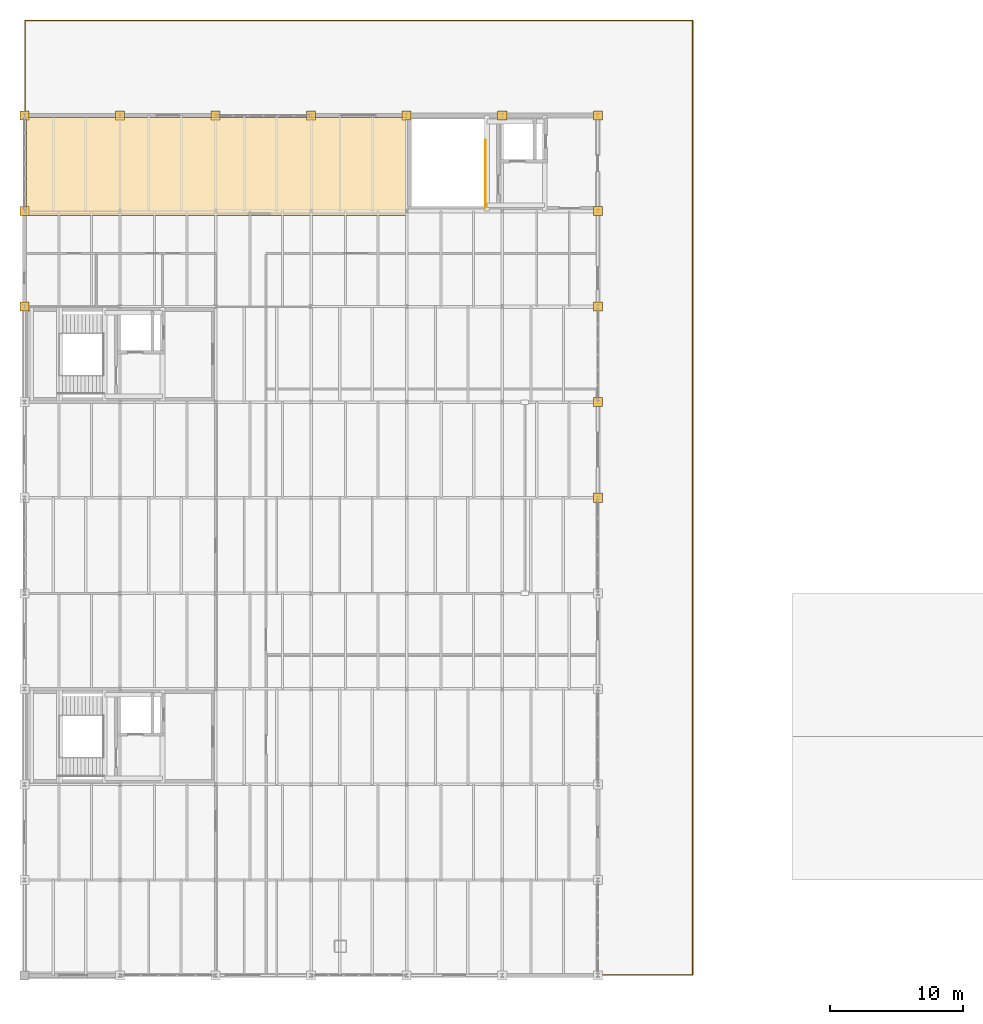
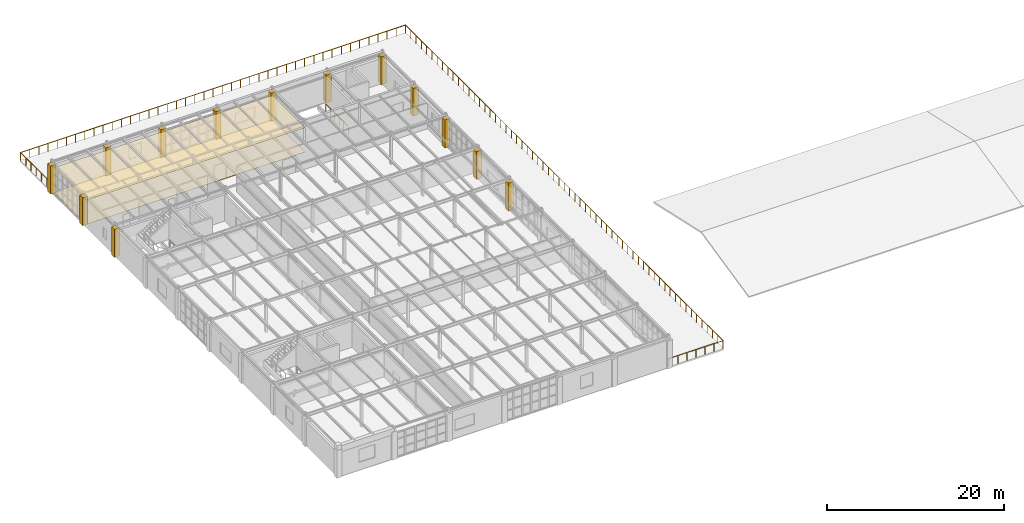
# One storey, part 36 of 36: 15 coverings, 2 railings.
"""IFC4 building model written with IfcOpenShell, lengths in metres."""

from ifc_helpers import new_model, si_unit, direction, frame, origin, origin_2d, place, context, subcontext, project, spatial, polyline, circle, outline, extrude, material, layer, layer_set, type_object, element, save


model = new_model("IFC4")

# Units and contexts
model_context = context("Model", 3, precision=1e-05, world=origin(), true_north=direction((0.0, 1.0)))
body_context = subcontext(model_context, "Body", "Model", "MODEL_VIEW")
ifc_project = project(units=[si_unit("LENGTHUNIT", "METRE"), si_unit("AREAUNIT", "SQUARE_METRE"), si_unit("VOLUMEUNIT", "CUBIC_METRE"), si_unit("PLANEANGLEUNIT", "RADIAN"), si_unit("MASSUNIT", "GRAM", prefix="KILO")], contexts=[model_context])

# Site, building, storey
site_placement = place(None, origin())
site = spatial("IfcSite", under=ifc_project, at=site_placement, CompositionType="ELEMENT")
building_placement = place(site_placement, origin())
building = spatial("IfcBuilding", under=site, at=building_placement, Name="Kemerveld Promenade Tramway Depot", CompositionType="ELEMENT")
storey_placement = place(building_placement, frame((0.0, 0.0, 14.39990234375)))
storey = spatial("IfcBuildingStorey", under=building, at=storey_placement, Name="L03", CompositionType="ELEMENT", Elevation=14.39990234375)

# Coverings
ifc_material_1 = material(Name="Perforated mineral-fibre acoustic ceiling")
ifc_layer_1 = layer(ifc_material_1, 0.02490234375)
ifc_layer_set_1 = layer_set([ifc_layer_1], Name="COV-CEIL-AC")
covering_type_1 = type_object("IfcCoveringType", Name="COV-CEIL-AC", PredefinedType="CEILING", material=ifc_layer_set_1)
covering_1_placement = place(storey_placement, frame((0.0, 0.0, 3.35498046875)))
element("IfcCovering", 1, at=covering_1_placement, inside=storey, type_object=covering_type_1, Name="CEIL-RM-L03-V5-BRK", PredefinedType="CEILING", context=body_context, shape_type="SweptSolid", body=[
    extrude(outline(polyline([(0.14990234375, 57.25), (28.75, 57.25), (28.75, 64.64990234375), (0.14990234375, 64.64990234375), (0.14990234375, 57.25)])), origin(), (0.0, 0.0, 1.0), 0.025146484375),
])
ifc_material_2 = material(Name="Dressed Harare granite ashlar cladding", Category="masonry")
ifc_layer_2 = layer(ifc_material_2, 0.050048828125)
ifc_layer_set_2 = layer_set([ifc_layer_2], Name="COV-CLAD-GRAN")
covering_type_2 = type_object("IfcCoveringType", Name="COV-CLAD-GRAN", PredefinedType="CLADDING", material=ifc_layer_set_2)
covering_2_placement = place(storey_placement, origin())
element("IfcCovering", 2, at=covering_2_placement, inside=storey, type_object=covering_type_2, Name="CLAD-PIER-L03-360", PredefinedType="CLADDING", context=body_context, shape_type="SweptSolid", body=[
    extrude(outline(polyline([(-0.340087890625, 50.06005859375), (0.340087890625, 50.06005859375), (0.340087890625, 50.739990234375), (-0.340087890625, 50.739990234375), (-0.340087890625, 50.06005859375)])), origin(), (0.0, 0.0, 1.0), 3.85009765625),
])
covering_3_placement = place(storey_placement, origin())
element("IfcCovering", 3, at=covering_3_placement, inside=storey, type_object=covering_type_2, Name="CLAD-PIER-L03-361", PredefinedType="CLADDING", context=body_context, shape_type="SweptSolid", body=[
    extrude(outline(polyline([(-0.340087890625, 57.260009765625), (0.340087890625, 57.260009765625), (0.340087890625, 57.93994140625), (-0.340087890625, 57.93994140625), (-0.340087890625, 57.260009765625)])), origin(), (0.0, 0.0, 1.0), 3.85009765625),
])
covering_4_placement = place(storey_placement, origin())
element("IfcCovering", 4, at=covering_4_placement, inside=storey, type_object=covering_type_2, Name="CLAD-PIER-L03-362", PredefinedType="CLADDING", context=body_context, shape_type="SweptSolid", body=[
    extrude(outline(polyline([(-0.340087890625, 64.4599609375), (0.340087890625, 64.4599609375), (0.340087890625, 65.139892578125), (-0.340087890625, 65.139892578125), (-0.340087890625, 64.4599609375)])), origin(), (0.0, 0.0, 1.0), 3.85009765625),
])
covering_5_placement = place(storey_placement, origin())
element("IfcCovering", 5, at=covering_5_placement, inside=storey, type_object=covering_type_2, Name="CLAD-PIER-L03-363", PredefinedType="CLADDING", context=body_context, shape_type="SweptSolid", body=[
    extrude(outline(polyline([(6.860107421875, 64.4599609375), (7.5400390625, 64.4599609375), (7.5400390625, 65.139892578125), (6.860107421875, 65.139892578125), (6.860107421875, 64.4599609375)])), origin(), (0.0, 0.0, 1.0), 3.85009765625),
])
covering_6_placement = place(storey_placement, origin())
element("IfcCovering", 6, at=covering_6_placement, inside=storey, type_object=covering_type_2, Name="CLAD-PIER-L03-364", PredefinedType="CLADDING", context=body_context, shape_type="SweptSolid", body=[
    extrude(outline(polyline([(14.06005859375, 64.4599609375), (14.739990234375, 64.4599609375), (14.739990234375, 65.139892578125), (14.06005859375, 65.139892578125), (14.06005859375, 64.4599609375)])), origin(), (0.0, 0.0, 1.0), 3.85009765625),
])
covering_7_placement = place(storey_placement, origin())
element("IfcCovering", 7, at=covering_7_placement, inside=storey, type_object=covering_type_2, Name="CLAD-PIER-L03-365", PredefinedType="CLADDING", context=body_context, shape_type="SweptSolid", body=[
    extrude(outline(polyline([(21.260009765625, 64.4599609375), (21.93994140625, 64.4599609375), (21.93994140625, 65.139892578125), (21.260009765625, 65.139892578125), (21.260009765625, 64.4599609375)])), origin(), (0.0, 0.0, 1.0), 3.85009765625),
])
covering_8_placement = place(storey_placement, origin())
element("IfcCovering", 8, at=covering_8_placement, inside=storey, type_object=covering_type_2, Name="CLAD-PIER-L03-366", PredefinedType="CLADDING", context=body_context, shape_type="SweptSolid", body=[
    extrude(outline(polyline([(28.4599609375, 64.4599609375), (29.139892578125, 64.4599609375), (29.139892578125, 65.139892578125), (28.4599609375, 65.139892578125), (28.4599609375, 64.4599609375)])), origin(), (0.0, 0.0, 1.0), 3.85009765625),
])
covering_9_placement = place(storey_placement, origin())
element("IfcCovering", 9, at=covering_9_placement, inside=storey, type_object=covering_type_2, Name="CLAD-PIER-L03-367", PredefinedType="CLADDING", context=body_context, shape_type="SweptSolid", body=[
    extrude(outline(polyline([(35.659912109375, 64.4599609375), (36.340087890625, 64.4599609375), (36.340087890625, 65.139892578125), (35.659912109375, 65.139892578125), (35.659912109375, 64.4599609375)])), origin(), (0.0, 0.0, 1.0), 3.85009765625),
])
covering_10_placement = place(storey_placement, origin())
element("IfcCovering", 10, at=covering_10_placement, inside=storey, type_object=covering_type_2, Name="CLAD-PIER-L03-368", PredefinedType="CLADDING", context=body_context, shape_type="SweptSolid", body=[
    extrude(outline(polyline([(42.860107421875, 64.4599609375), (43.5400390625, 64.4599609375), (43.5400390625, 65.139892578125), (42.860107421875, 65.139892578125), (42.860107421875, 64.4599609375)])), origin(), (0.0, 0.0, 1.0), 3.85009765625),
])
covering_11_placement = place(storey_placement, origin())
element("IfcCovering", 11, at=covering_11_placement, inside=storey, type_object=covering_type_2, Name="CLAD-PIER-L03-369", PredefinedType="CLADDING", context=body_context, shape_type="SweptSolid", body=[
    extrude(outline(polyline([(42.860107421875, 57.260009765625), (43.5400390625, 57.260009765625), (43.5400390625, 57.93994140625), (42.860107421875, 57.93994140625), (42.860107421875, 57.260009765625)])), origin(), (0.0, 0.0, 1.0), 3.85009765625),
])
covering_12_placement = place(storey_placement, origin())
element("IfcCovering", 12, at=covering_12_placement, inside=storey, type_object=covering_type_2, Name="CLAD-PIER-L03-370", PredefinedType="CLADDING", context=body_context, shape_type="SweptSolid", body=[
    extrude(outline(polyline([(42.860107421875, 50.06005859375), (43.5400390625, 50.06005859375), (43.5400390625, 50.739990234375), (42.860107421875, 50.739990234375), (42.860107421875, 50.06005859375)])), origin(), (0.0, 0.0, 1.0), 3.85009765625),
])
covering_13_placement = place(storey_placement, origin())
element("IfcCovering", 13, at=covering_13_placement, inside=storey, type_object=covering_type_2, Name="CLAD-PIER-L03-371", PredefinedType="CLADDING", context=body_context, shape_type="SweptSolid", body=[
    extrude(outline(polyline([(42.860107421875, 42.860107421875), (43.5400390625, 42.860107421875), (43.5400390625, 43.5400390625), (42.860107421875, 43.5400390625), (42.860107421875, 42.860107421875)])), origin(), (0.0, 0.0, 1.0), 3.85009765625),
])
covering_14_placement = place(storey_placement, origin())
element("IfcCovering", 14, at=covering_14_placement, inside=storey, type_object=covering_type_2, Name="CLAD-PIER-L03-372", PredefinedType="CLADDING", context=body_context, shape_type="SweptSolid", body=[
    extrude(outline(polyline([(42.860107421875, 35.659912109375), (43.5400390625, 35.659912109375), (43.5400390625, 36.340087890625), (42.860107421875, 36.340087890625), (42.860107421875, 35.659912109375)])), origin(), (0.0, 0.0, 1.0), 3.85009765625),
])
ifc_material_3 = material(Name="Honed Harare granite terrazzo flooring", Category="masonry")
ifc_layer_3 = layer(ifc_material_3, 0.02001953125)
ifc_layer_set_3 = layer_set([ifc_layer_3], Name="COV-FLR-TERR")
covering_type_3 = type_object("IfcCoveringType", Name="COV-FLR-TERR", PredefinedType="FLOORING", material=ifc_layer_set_3)
covering_15_placement = place(storey_placement, origin())
element("IfcCovering", 15, at=covering_15_placement, inside=storey, type_object=covering_type_3, Name="FLR-RM-L03-V5-BRK", PredefinedType="FLOORING", context=body_context, shape_type="SweptSolid", body=[
    extrude(outline(polyline([(0.14990234375, 57.25), (28.75, 57.25), (28.75, 64.64990234375), (0.14990234375, 64.64990234375), (0.14990234375, 57.25)])), origin(), (0.0, 0.0, 1.0), 0.02001953125),
])

# Railings
ifc_material_4 = material(Name="Bronze-finished steel and laminated safety glass", Category="steel")
railing_type_1 = type_object("IfcRailingType", Name="RL-BAL-1100", PredefinedType="BALUSTRADE", material=ifc_material_4)
railing_1_placement = place(storey_placement, frame((43.25, 0.050048828125, 0.0)))
element("IfcRailing", 16, at=railing_1_placement, inside=storey, type_object=railing_type_1, Name="RL-TER-L03-EAST", PredefinedType="BALUSTRADE", context=body_context, shape_type="SweptSolid", body=[
    extrude(circle(Radius=0.02392578125, at=origin_2d()), frame((0.0, 0.0, 1.09619140625), z_axis=(1.0, 0.0, 0.0), x_axis=(0.0, 1.0, 0.0)), (0.0, 0.0, 1.0), 7.10009765625),
    extrude(circle(Radius=0.02392578125, at=origin_2d()), frame((7.10009765625, 0.0, 1.09619140625), z_axis=(0.0, 1.0, 0.0), x_axis=(-1.0, 0.0, 0.0)), (0.0, 0.0, 1.0), 71.89990234375),
    extrude(circle(Radius=0.02392578125, at=origin_2d()), frame((7.10009765625, 71.89990234375, 1.09619140625), z_axis=(-1.0, 0.0, 0.0), x_axis=(0.0, -1.0, 0.0)), (0.0, 0.0, 1.0), 50.300048828125),
    extrude(circle(Radius=0.02392578125, at=origin_2d()), frame((-43.199951171875, 71.89990234375, 1.09619140625), z_axis=(0.0, -1.0, 0.0), x_axis=(1.0, 0.0, 0.0)), (0.0, 0.0, 1.0), 7.099853515625),
    extrude(circle(Radius=0.02099609375, at=origin_2d()), origin(), (0.0, 0.0, 1.0), 1.072021484375),
    extrude(circle(Radius=0.02099609375, at=origin_2d()), frame((1.183349609375, 0.0, 0.0)), (0.0, 0.0, 1.0), 1.072021484375),
    extrude(circle(Radius=0.02099609375, at=origin_2d()), frame((2.36669921875, 0.0, 0.0)), (0.0, 0.0, 1.0), 1.072021484375),
    extrude(circle(Radius=0.02099609375, at=origin_2d()), frame((3.550048828125, 0.0, 0.0)), (0.0, 0.0, 1.0), 1.072021484375),
    extrude(circle(Radius=0.02099609375, at=origin_2d()), frame((4.7333984375, 0.0, 0.0)), (0.0, 0.0, 1.0), 1.072021484375),
    extrude(circle(Radius=0.02099609375, at=origin_2d()), frame((5.916748046875, 0.0, 0.0)), (0.0, 0.0, 1.0), 1.072021484375),
    extrude(circle(Radius=0.02099609375, at=origin_2d()), frame((7.10009765625, 0.0, 0.0)), (0.0, 0.0, 1.0), 1.072021484375),
    extrude(circle(Radius=0.02099609375, at=origin_2d()), frame((7.10009765625, 1.1982421875, 0.0)), (0.0, 0.0, 1.0), 1.072021484375),
    extrude(circle(Radius=0.02099609375, at=origin_2d()), frame((7.10009765625, 2.396728515625, 0.0)), (0.0, 0.0, 1.0), 1.072021484375),
    extrude(circle(Radius=0.02099609375, at=origin_2d()), frame((7.10009765625, 3.594970703125, 0.0)), (0.0, 0.0, 1.0), 1.072021484375),
    extrude(circle(Radius=0.02099609375, at=origin_2d()), frame((7.10009765625, 4.793212890625, 0.0)), (0.0, 0.0, 1.0), 1.072021484375),
    extrude(circle(Radius=0.02099609375, at=origin_2d()), frame((7.10009765625, 5.99169921875, 0.0)), (0.0, 0.0, 1.0), 1.072021484375),
    extrude(circle(Radius=0.02099609375, at=origin_2d()), frame((7.10009765625, 7.18994140625, 0.0)), (0.0, 0.0, 1.0), 1.072021484375),
    extrude(circle(Radius=0.02099609375, at=origin_2d()), frame((7.10009765625, 8.388427734375, 0.0)), (0.0, 0.0, 1.0), 1.072021484375),
    extrude(circle(Radius=0.02099609375, at=origin_2d()), frame((7.10009765625, 9.586669921875, 0.0)), (0.0, 0.0, 1.0), 1.072021484375),
    extrude(circle(Radius=0.02099609375, at=origin_2d()), frame((7.10009765625, 10.784912109375, 0.0)), (0.0, 0.0, 1.0), 1.072021484375),
    extrude(circle(Radius=0.02099609375, at=origin_2d()), frame((7.10009765625, 11.9833984375, 0.0)), (0.0, 0.0, 1.0), 1.072021484375),
    extrude(circle(Radius=0.02099609375, at=origin_2d()), frame((7.10009765625, 13.181640625, 0.0)), (0.0, 0.0, 1.0), 1.072021484375),
    extrude(circle(Radius=0.02099609375, at=origin_2d()), frame((7.10009765625, 14.3798828125, 0.0)), (0.0, 0.0, 1.0), 1.072021484375),
    extrude(circle(Radius=0.02099609375, at=origin_2d()), frame((7.10009765625, 15.578369140625, 0.0)), (0.0, 0.0, 1.0), 1.072021484375),
    extrude(circle(Radius=0.02099609375, at=origin_2d()), frame((7.10009765625, 16.776611328125, 0.0)), (0.0, 0.0, 1.0), 1.072021484375),
    extrude(circle(Radius=0.02099609375, at=origin_2d()), frame((7.10009765625, 17.97509765625, 0.0)), (0.0, 0.0, 1.0), 1.072021484375),
    extrude(circle(Radius=0.02099609375, at=origin_2d()), frame((7.10009765625, 19.17333984375, 0.0)), (0.0, 0.0, 1.0), 1.072021484375),
    extrude(circle(Radius=0.02099609375, at=origin_2d()), frame((7.10009765625, 20.37158203125, 0.0)), (0.0, 0.0, 1.0), 1.072021484375),
    extrude(circle(Radius=0.02099609375, at=origin_2d()), frame((7.10009765625, 21.570068359375, 0.0)), (0.0, 0.0, 1.0), 1.072021484375),
    extrude(circle(Radius=0.02099609375, at=origin_2d()), frame((7.10009765625, 22.768310546875, 0.0)), (0.0, 0.0, 1.0), 1.072021484375),
    extrude(circle(Radius=0.02099609375, at=origin_2d()), frame((7.10009765625, 23.966552734375, 0.0)), (0.0, 0.0, 1.0), 1.072021484375),
    extrude(circle(Radius=0.02099609375, at=origin_2d()), frame((7.10009765625, 25.1650390625, 0.0)), (0.0, 0.0, 1.0), 1.072021484375),
    extrude(circle(Radius=0.02099609375, at=origin_2d()), frame((7.10009765625, 26.36328125, 0.0)), (0.0, 0.0, 1.0), 1.072021484375),
    extrude(circle(Radius=0.02099609375, at=origin_2d()), frame((7.10009765625, 27.5615234375, 0.0)), (0.0, 0.0, 1.0), 1.072021484375),
    extrude(circle(Radius=0.02099609375, at=origin_2d()), frame((7.10009765625, 28.760009765625, 0.0)), (0.0, 0.0, 1.0), 1.072021484375),
    extrude(circle(Radius=0.02099609375, at=origin_2d()), frame((7.10009765625, 29.958251953125, 0.0)), (0.0, 0.0, 1.0), 1.072021484375),
    extrude(circle(Radius=0.02099609375, at=origin_2d()), frame((7.10009765625, 31.15673828125, 0.0)), (0.0, 0.0, 1.0), 1.072021484375),
    extrude(circle(Radius=0.02099609375, at=origin_2d()), frame((7.10009765625, 32.35498046875, 0.0)), (0.0, 0.0, 1.0), 1.072021484375),
    extrude(circle(Radius=0.02099609375, at=origin_2d()), frame((7.10009765625, 33.55322265625, 0.0)), (0.0, 0.0, 1.0), 1.072021484375),
    extrude(circle(Radius=0.02099609375, at=origin_2d()), frame((7.10009765625, 34.751708984375, 0.0)), (0.0, 0.0, 1.0), 1.072021484375),
    extrude(circle(Radius=0.02099609375, at=origin_2d()), frame((7.10009765625, 35.949951171875, 0.0)), (0.0, 0.0, 1.0), 1.072021484375),
    extrude(circle(Radius=0.02099609375, at=origin_2d()), frame((7.10009765625, 37.148193359375, 0.0)), (0.0, 0.0, 1.0), 1.072021484375),
    extrude(circle(Radius=0.02099609375, at=origin_2d()), frame((7.10009765625, 38.3466796875, 0.0)), (0.0, 0.0, 1.0), 1.072021484375),
    extrude(circle(Radius=0.02099609375, at=origin_2d()), frame((7.10009765625, 39.544921875, 0.0)), (0.0, 0.0, 1.0), 1.072021484375),
    extrude(circle(Radius=0.02099609375, at=origin_2d()), frame((7.10009765625, 40.7431640625, 0.0)), (0.0, 0.0, 1.0), 1.072021484375),
    extrude(circle(Radius=0.02099609375, at=origin_2d()), frame((7.10009765625, 41.941650390625, 0.0)), (0.0, 0.0, 1.0), 1.072021484375),
    extrude(circle(Radius=0.02099609375, at=origin_2d()), frame((7.10009765625, 43.139892578125, 0.0)), (0.0, 0.0, 1.0), 1.072021484375),
    extrude(circle(Radius=0.02099609375, at=origin_2d()), frame((7.10009765625, 44.33837890625, 0.0)), (0.0, 0.0, 1.0), 1.072021484375),
    extrude(circle(Radius=0.02099609375, at=origin_2d()), frame((7.10009765625, 45.53662109375, 0.0)), (0.0, 0.0, 1.0), 1.072021484375),
    extrude(circle(Radius=0.02099609375, at=origin_2d()), frame((7.10009765625, 46.73486328125, 0.0)), (0.0, 0.0, 1.0), 1.072021484375),
    extrude(circle(Radius=0.02099609375, at=origin_2d()), frame((7.10009765625, 47.933349609375, 0.0)), (0.0, 0.0, 1.0), 1.072021484375),
    extrude(circle(Radius=0.02099609375, at=origin_2d()), frame((7.10009765625, 49.131591796875, 0.0)), (0.0, 0.0, 1.0), 1.072021484375),
    extrude(circle(Radius=0.02099609375, at=origin_2d()), frame((7.10009765625, 50.329833984375, 0.0)), (0.0, 0.0, 1.0), 1.072021484375),
    extrude(circle(Radius=0.02099609375, at=origin_2d()), frame((7.10009765625, 51.5283203125, 0.0)), (0.0, 0.0, 1.0), 1.072021484375),
    extrude(circle(Radius=0.02099609375, at=origin_2d()), frame((7.10009765625, 52.7265625, 0.0)), (0.0, 0.0, 1.0), 1.072021484375),
    extrude(circle(Radius=0.02099609375, at=origin_2d()), frame((7.10009765625, 53.9248046875, 0.0)), (0.0, 0.0, 1.0), 1.072021484375),
    extrude(circle(Radius=0.02099609375, at=origin_2d()), frame((7.10009765625, 55.123291015625, 0.0)), (0.0, 0.0, 1.0), 1.072021484375),
    extrude(circle(Radius=0.02099609375, at=origin_2d()), frame((7.10009765625, 56.321533203125, 0.0)), (0.0, 0.0, 1.0), 1.072021484375),
    extrude(circle(Radius=0.02099609375, at=origin_2d()), frame((7.10009765625, 57.52001953125, 0.0)), (0.0, 0.0, 1.0), 1.072021484375),
    extrude(circle(Radius=0.02099609375, at=origin_2d()), frame((7.10009765625, 58.71826171875, 0.0)), (0.0, 0.0, 1.0), 1.072021484375),
    extrude(circle(Radius=0.02099609375, at=origin_2d()), frame((7.10009765625, 59.91650390625, 0.0)), (0.0, 0.0, 1.0), 1.072021484375),
    extrude(circle(Radius=0.02099609375, at=origin_2d()), frame((7.10009765625, 61.114990234375, 0.0)), (0.0, 0.0, 1.0), 1.072021484375),
    extrude(circle(Radius=0.02099609375, at=origin_2d()), frame((7.10009765625, 62.313232421875, 0.0)), (0.0, 0.0, 1.0), 1.072021484375),
    extrude(circle(Radius=0.02099609375, at=origin_2d()), frame((7.10009765625, 63.511474609375, 0.0)), (0.0, 0.0, 1.0), 1.072021484375),
    extrude(circle(Radius=0.02099609375, at=origin_2d()), frame((7.10009765625, 64.7099609375, 0.0)), (0.0, 0.0, 1.0), 1.072021484375),
    extrude(circle(Radius=0.02099609375, at=origin_2d()), frame((7.10009765625, 65.908203125, 0.0)), (0.0, 0.0, 1.0), 1.072021484375),
    extrude(circle(Radius=0.02099609375, at=origin_2d()), frame((7.10009765625, 67.106689453125, 0.0)), (0.0, 0.0, 1.0), 1.072021484375),
    extrude(circle(Radius=0.02099609375, at=origin_2d()), frame((7.10009765625, 68.304931640625, 0.0)), (0.0, 0.0, 1.0), 1.072021484375),
    extrude(circle(Radius=0.02099609375, at=origin_2d()), frame((7.10009765625, 69.503173828125, 0.0)), (0.0, 0.0, 1.0), 1.072021484375),
    extrude(circle(Radius=0.02099609375, at=origin_2d()), frame((7.10009765625, 70.70166015625, 0.0)), (0.0, 0.0, 1.0), 1.072021484375),
    extrude(circle(Radius=0.02099609375, at=origin_2d()), frame((7.10009765625, 71.89990234375, 0.0)), (0.0, 0.0, 1.0), 1.072021484375),
    extrude(circle(Radius=0.02099609375, at=origin_2d()), frame((5.902587890625, 71.89990234375, 0.0)), (0.0, 0.0, 1.0), 1.072021484375),
    extrude(circle(Radius=0.02099609375, at=origin_2d()), frame((4.704833984375, 71.89990234375, 0.0)), (0.0, 0.0, 1.0), 1.072021484375),
    extrude(circle(Radius=0.02099609375, at=origin_2d()), frame((3.50732421875, 71.89990234375, 0.0)), (0.0, 0.0, 1.0), 1.072021484375),
    extrude(circle(Radius=0.02099609375, at=origin_2d()), frame((2.3095703125, 71.89990234375, 0.0)), (0.0, 0.0, 1.0), 1.072021484375),
    extrude(circle(Radius=0.02099609375, at=origin_2d()), frame((1.112060546875, 71.89990234375, 0.0)), (0.0, 0.0, 1.0), 1.072021484375),
    extrude(circle(Radius=0.02099609375, at=origin_2d()), frame((-0.085693359375, 71.89990234375, 0.0)), (0.0, 0.0, 1.0), 1.072021484375),
    extrude(circle(Radius=0.02099609375, at=origin_2d()), frame((-1.283203125, 71.89990234375, 0.0)), (0.0, 0.0, 1.0), 1.072021484375),
    extrude(circle(Radius=0.02099609375, at=origin_2d()), frame((-2.48095703125, 71.89990234375, 0.0)), (0.0, 0.0, 1.0), 1.072021484375),
    extrude(circle(Radius=0.02099609375, at=origin_2d()), frame((-3.678466796875, 71.89990234375, 0.0)), (0.0, 0.0, 1.0), 1.072021484375),
    extrude(circle(Radius=0.02099609375, at=origin_2d()), frame((-4.876220703125, 71.89990234375, 0.0)), (0.0, 0.0, 1.0), 1.072021484375),
    extrude(circle(Radius=0.02099609375, at=origin_2d()), frame((-6.07373046875, 71.89990234375, 0.0)), (0.0, 0.0, 1.0), 1.072021484375),
    extrude(circle(Radius=0.02099609375, at=origin_2d()), frame((-7.271240234375, 71.89990234375, 0.0)), (0.0, 0.0, 1.0), 1.072021484375),
    extrude(circle(Radius=0.02099609375, at=origin_2d()), frame((-8.468994140625, 71.89990234375, 0.0)), (0.0, 0.0, 1.0), 1.072021484375),
    extrude(circle(Radius=0.02099609375, at=origin_2d()), frame((-9.66650390625, 71.89990234375, 0.0)), (0.0, 0.0, 1.0), 1.072021484375),
    extrude(circle(Radius=0.02099609375, at=origin_2d()), frame((-10.8642578125, 71.89990234375, 0.0)), (0.0, 0.0, 1.0), 1.072021484375),
    extrude(circle(Radius=0.02099609375, at=origin_2d()), frame((-12.061767578125, 71.89990234375, 0.0)), (0.0, 0.0, 1.0), 1.072021484375),
    extrude(circle(Radius=0.02099609375, at=origin_2d()), frame((-13.259521484375, 71.89990234375, 0.0)), (0.0, 0.0, 1.0), 1.072021484375),
    extrude(circle(Radius=0.02099609375, at=origin_2d()), frame((-14.45703125, 71.89990234375, 0.0)), (0.0, 0.0, 1.0), 1.072021484375),
    extrude(circle(Radius=0.02099609375, at=origin_2d()), frame((-15.65478515625, 71.89990234375, 0.0)), (0.0, 0.0, 1.0), 1.072021484375),
    extrude(circle(Radius=0.02099609375, at=origin_2d()), frame((-16.852294921875, 71.89990234375, 0.0)), (0.0, 0.0, 1.0), 1.072021484375),
    extrude(circle(Radius=0.02099609375, at=origin_2d()), frame((-18.0498046875, 71.89990234375, 0.0)), (0.0, 0.0, 1.0), 1.072021484375),
    extrude(circle(Radius=0.02099609375, at=origin_2d()), frame((-19.24755859375, 71.89990234375, 0.0)), (0.0, 0.0, 1.0), 1.072021484375),
    extrude(circle(Radius=0.02099609375, at=origin_2d()), frame((-20.445068359375, 71.89990234375, 0.0)), (0.0, 0.0, 1.0), 1.072021484375),
    extrude(circle(Radius=0.02099609375, at=origin_2d()), frame((-21.642822265625, 71.89990234375, 0.0)), (0.0, 0.0, 1.0), 1.072021484375),
    extrude(circle(Radius=0.02099609375, at=origin_2d()), frame((-22.84033203125, 71.89990234375, 0.0)), (0.0, 0.0, 1.0), 1.072021484375),
    extrude(circle(Radius=0.02099609375, at=origin_2d()), frame((-24.0380859375, 71.89990234375, 0.0)), (0.0, 0.0, 1.0), 1.072021484375),
    extrude(circle(Radius=0.02099609375, at=origin_2d()), frame((-25.235595703125, 71.89990234375, 0.0)), (0.0, 0.0, 1.0), 1.072021484375),
    extrude(circle(Radius=0.02099609375, at=origin_2d()), frame((-26.433349609375, 71.89990234375, 0.0)), (0.0, 0.0, 1.0), 1.072021484375),
    extrude(circle(Radius=0.02099609375, at=origin_2d()), frame((-27.630859375, 71.89990234375, 0.0)), (0.0, 0.0, 1.0), 1.072021484375),
    extrude(circle(Radius=0.02099609375, at=origin_2d()), frame((-28.82861328125, 71.89990234375, 0.0)), (0.0, 0.0, 1.0), 1.072021484375),
    extrude(circle(Radius=0.02099609375, at=origin_2d()), frame((-30.026123046875, 71.89990234375, 0.0)), (0.0, 0.0, 1.0), 1.072021484375),
    extrude(circle(Radius=0.02099609375, at=origin_2d()), frame((-31.2236328125, 71.89990234375, 0.0)), (0.0, 0.0, 1.0), 1.072021484375),
    extrude(circle(Radius=0.02099609375, at=origin_2d()), frame((-32.42138671875, 71.89990234375, 0.0)), (0.0, 0.0, 1.0), 1.072021484375),
    extrude(circle(Radius=0.02099609375, at=origin_2d()), frame((-33.618896484375, 71.89990234375, 0.0)), (0.0, 0.0, 1.0), 1.072021484375),
    extrude(circle(Radius=0.02099609375, at=origin_2d()), frame((-34.816650390625, 71.89990234375, 0.0)), (0.0, 0.0, 1.0), 1.072021484375),
    extrude(circle(Radius=0.02099609375, at=origin_2d()), frame((-36.01416015625, 71.89990234375, 0.0)), (0.0, 0.0, 1.0), 1.072021484375),
    extrude(circle(Radius=0.02099609375, at=origin_2d()), frame((-37.2119140625, 71.89990234375, 0.0)), (0.0, 0.0, 1.0), 1.072021484375),
    extrude(circle(Radius=0.02099609375, at=origin_2d()), frame((-38.409423828125, 71.89990234375, 0.0)), (0.0, 0.0, 1.0), 1.072021484375),
    extrude(circle(Radius=0.02099609375, at=origin_2d()), frame((-39.607177734375, 71.89990234375, 0.0)), (0.0, 0.0, 1.0), 1.072021484375),
    extrude(circle(Radius=0.02099609375, at=origin_2d()), frame((-40.8046875, 71.89990234375, 0.0)), (0.0, 0.0, 1.0), 1.072021484375),
    extrude(circle(Radius=0.02099609375, at=origin_2d()), frame((-42.00244140625, 71.89990234375, 0.0)), (0.0, 0.0, 1.0), 1.072021484375),
    extrude(circle(Radius=0.02099609375, at=origin_2d()), frame((-43.199951171875, 71.89990234375, 0.0)), (0.0, 0.0, 1.0), 1.072021484375),
    extrude(circle(Radius=0.02099609375, at=origin_2d()), frame((-43.199951171875, 70.716552734375, 0.0)), (0.0, 0.0, 1.0), 1.072021484375),
    extrude(circle(Radius=0.02099609375, at=origin_2d()), frame((-43.199951171875, 69.533203125, 0.0)), (0.0, 0.0, 1.0), 1.072021484375),
    extrude(circle(Radius=0.02099609375, at=origin_2d()), frame((-43.199951171875, 68.35009765625, 0.0)), (0.0, 0.0, 1.0), 1.072021484375),
    extrude(circle(Radius=0.02099609375, at=origin_2d()), frame((-43.199951171875, 67.166748046875, 0.0)), (0.0, 0.0, 1.0), 1.072021484375),
    extrude(circle(Radius=0.02099609375, at=origin_2d()), frame((-43.199951171875, 65.9833984375, 0.0)), (0.0, 0.0, 1.0), 1.072021484375),
    extrude(circle(Radius=0.02099609375, at=origin_2d()), frame((-43.199951171875, 64.800048828125, 0.0)), (0.0, 0.0, 1.0), 1.072021484375),
])
ifc_material_5 = material(Name="Galvanised painted steel balustrade", Category="steel")
railing_type_2 = type_object("IfcRailingType", Name="RL-GRD-1100", PredefinedType="GUARDRAIL", material=ifc_material_5)
railing_2_placement = place(storey_placement, frame((34.75, 57.8798828125, 0.0)))
element("IfcRailing", 17, at=railing_2_placement, inside=storey, type_object=railing_type_2, Name="RL-WELL-C3-L03", PredefinedType="GUARDRAIL", context=body_context, shape_type="SweptSolid", body=[
    extrude(circle(Radius=0.02392578125, at=origin_2d()), frame((0.0, 0.0, 1.09619140625), z_axis=(0.0, 1.0, 0.0), x_axis=(-1.0, 0.0, 0.0)), (0.0, 0.0, 1.0), 5.090087890625),
    extrude(circle(Radius=0.02099609375, at=origin_2d()), origin(), (0.0, 0.0, 1.0), 1.072021484375),
    extrude(circle(Radius=0.02099609375, at=origin_2d()), frame((0.0, 1.01806640625, 0.0)), (0.0, 0.0, 1.0), 1.072021484375),
    extrude(circle(Radius=0.02099609375, at=origin_2d()), frame((0.0, 2.0361328125, 0.0)), (0.0, 0.0, 1.0), 1.072021484375),
    extrude(circle(Radius=0.02099609375, at=origin_2d()), frame((0.0, 3.053955078125, 0.0)), (0.0, 0.0, 1.0), 1.072021484375),
    extrude(circle(Radius=0.02099609375, at=origin_2d()), frame((0.0, 4.072021484375, 0.0)), (0.0, 0.0, 1.0), 1.072021484375),
    extrude(circle(Radius=0.02099609375, at=origin_2d()), frame((0.0, 5.090087890625, 0.0)), (0.0, 0.0, 1.0), 1.072021484375),
])

save(model, "model.ifc")
